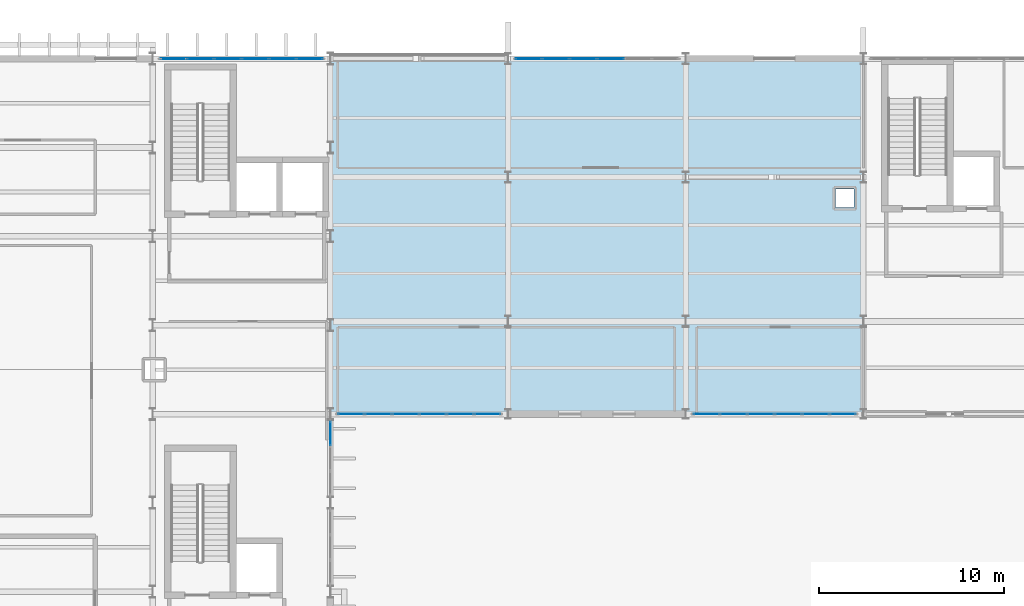
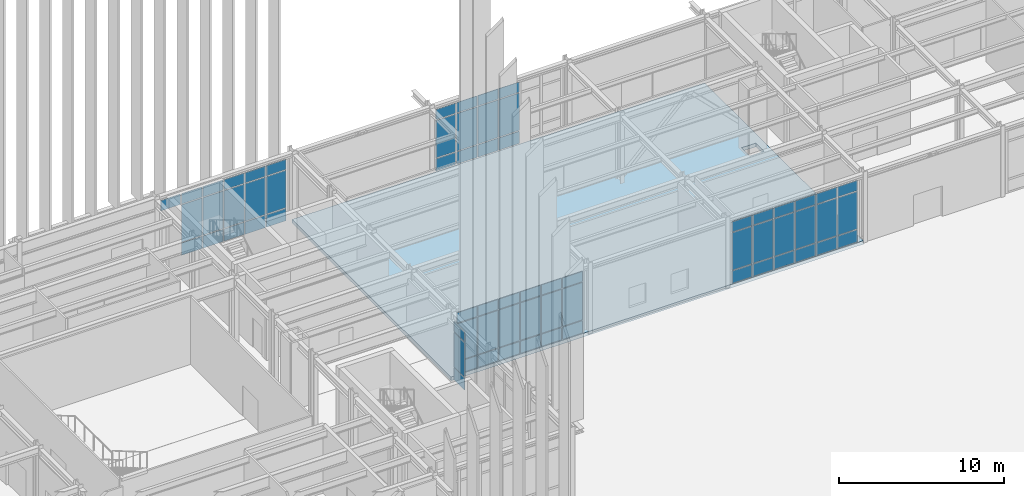
# One storey, part 74 of 109: 67 plates, 1 slab, 5 elements without a shape of their own.
"""IFC4 building model written with IfcOpenShell, lengths in metres."""

from ifc_helpers import new_model, si_unit, direction, frame, origin, origin_2d, place, context, subcontext, project, spatial, polyline, rectangle, outline, extrude, material, layer, layer_set, type_object, element, aggregate, save


model = new_model("IFC4")

# Units and contexts
model_context = context("Model", 3, precision=1e-05, world=origin(), true_north=direction((0.0, 1.0)))
body_context = subcontext(model_context, "Body", "Model", "MODEL_VIEW")
ifc_project = project(units=[si_unit("LENGTHUNIT", "METRE"), si_unit("AREAUNIT", "SQUARE_METRE"), si_unit("VOLUMEUNIT", "CUBIC_METRE"), si_unit("PLANEANGLEUNIT", "RADIAN"), si_unit("MASSUNIT", "GRAM", prefix="KILO")], contexts=[model_context])

# Site, building, storey
site_placement = place(None, origin())
site = spatial("IfcSite", under=ifc_project, at=site_placement, CompositionType="ELEMENT")
building_placement = place(site_placement, origin())
building = spatial("IfcBuilding", under=site, at=building_placement, Name="Nordkorset Police Headquarters", CompositionType="ELEMENT")
storey_placement = place(building_placement, origin())
storey = spatial("IfcBuildingStorey", under=building, at=storey_placement, Name="L00", CompositionType="ELEMENT", Elevation=0.0)

# Curtain wall, plates
ifc_material_1 = material(Name="Aluminium alloy AW-6060", Category="aluminium")
ifc_layer_1 = layer(ifc_material_1, 0.179931640625, Name="Aluminium alloy AW-6060")
ifc_layer_set_1 = layer_set([ifc_layer_1], Name="Aluminium alloy AW-6060")
curtain_wall_type_1 = type_object("IfcCurtainWallType", Name="CW_Unit_888x467", PredefinedType="USERDEFINED", material=ifc_layer_set_1)
curtain_wall_1_placement = place(storey_placement, origin())
curtain_wall_1 = element("IfcCurtainWall", 1, at=curtain_wall_1_placement, inside=storey, type_object=curtain_wall_type_1, Name="Unitised Curtain Wall L00 V1N-2", ObjectType="UNITISED CURTAIN WALL", PredefinedType="USERDEFINED")
ifc_material_2 = material(Name="Low-iron triple glazing", Category="glass")
ifc_layer_2 = layer(ifc_material_2, 0.035888671875, Name="Low-iron triple glazing")
ifc_layer_set_2 = layer_set([ifc_layer_2], Name="Low-iron triple glazing")
plate_type = type_object("IfcPlateType", Name="CW_Panel_TripleGlazing_36", PredefinedType="CURTAIN_PANEL", material=ifc_layer_set_2)
plate_1_placement = place(storey_placement, frame((20.316162109375, 116.800048828125, 3.8525390625), z_axis=(0.0, 0.0, 1.0), x_axis=(1.0, 0.0, 0.0)))
plate_1 = element("IfcPlate", 2, at=plate_1_placement, type_object=plate_type, Name="CW-51 panel 1.3", PredefinedType="CURTAIN_PANEL", context=body_context, shape_type="SweptSolid", body=[
    extrude(rectangle(XDim=1.382568359375, YDim=0.035888671875, at=origin_2d()), origin(), (0.0, 0.0, 1.0), 0.75244140625),
])
plate_2_placement = place(storey_placement, frame((21.780029296875, 116.800048828125, 0.06494140625), z_axis=(0.0, 0.0, 1.0), x_axis=(1.0, 0.0, 0.0)))
plate_2 = element("IfcPlate", 3, at=plate_2_placement, type_object=plate_type, Name="CW-51 panel 2.1", PredefinedType="CURTAIN_PANEL", context=body_context, shape_type="SweptSolid", body=[
    extrude(rectangle(XDim=1.4150390625, YDim=0.035888671875, at=origin_2d()), origin(), (0.0, 0.0, 1.0), 0.902587890625),
])
plate_3_placement = place(storey_placement, frame((21.780029296875, 116.800048828125, 1.032470703125), z_axis=(0.0, 0.0, 1.0), x_axis=(1.0, 0.0, 0.0)))
plate_3 = element("IfcPlate", 4, at=plate_3_placement, type_object=plate_type, Name="CW-51 panel 2.2", PredefinedType="CURTAIN_PANEL", context=body_context, shape_type="SweptSolid", body=[
    extrude(rectangle(XDim=1.4150390625, YDim=0.035888671875, at=origin_2d()), origin(), (0.0, 0.0, 1.0), 2.7548828125),
])
plate_4_placement = place(storey_placement, frame((21.780029296875, 116.800048828125, 3.8525390625), z_axis=(0.0, 0.0, 1.0), x_axis=(1.0, 0.0, 0.0)))
plate_4 = element("IfcPlate", 5, at=plate_4_placement, type_object=plate_type, Name="CW-51 panel 2.3", PredefinedType="CURTAIN_PANEL", context=body_context, shape_type="SweptSolid", body=[
    extrude(rectangle(XDim=1.4150390625, YDim=0.035888671875, at=origin_2d()), origin(), (0.0, 0.0, 1.0), 0.75244140625),
])
plate_5_placement = place(storey_placement, frame((23.260009765625, 116.800048828125, 0.06494140625), z_axis=(0.0, 0.0, 1.0), x_axis=(1.0, 0.0, 0.0)))
plate_5 = element("IfcPlate", 6, at=plate_5_placement, type_object=plate_type, Name="CW-51 panel 3.1", PredefinedType="CURTAIN_PANEL", context=body_context, shape_type="SweptSolid", body=[
    extrude(rectangle(XDim=1.4150390625, YDim=0.035888671875, at=origin_2d()), origin(), (0.0, 0.0, 1.0), 0.902587890625),
])
plate_6_placement = place(storey_placement, frame((23.260009765625, 116.800048828125, 1.032470703125), z_axis=(0.0, 0.0, 1.0), x_axis=(1.0, 0.0, 0.0)))
plate_6 = element("IfcPlate", 7, at=plate_6_placement, type_object=plate_type, Name="CW-51 panel 3.2", PredefinedType="CURTAIN_PANEL", context=body_context, shape_type="SweptSolid", body=[
    extrude(rectangle(XDim=1.4150390625, YDim=0.035888671875, at=origin_2d()), origin(), (0.0, 0.0, 1.0), 2.7548828125),
])
plate_7_placement = place(storey_placement, frame((23.260009765625, 116.800048828125, 3.8525390625), z_axis=(0.0, 0.0, 1.0), x_axis=(1.0, 0.0, 0.0)))
plate_7 = element("IfcPlate", 8, at=plate_7_placement, type_object=plate_type, Name="CW-51 panel 3.3", PredefinedType="CURTAIN_PANEL", context=body_context, shape_type="SweptSolid", body=[
    extrude(rectangle(XDim=1.4150390625, YDim=0.035888671875, at=origin_2d()), origin(), (0.0, 0.0, 1.0), 0.75244140625),
])
plate_8_placement = place(storey_placement, frame((24.739990234375, 116.800048828125, 0.06494140625), z_axis=(0.0, 0.0, 1.0), x_axis=(1.0, 0.0, 0.0)))
plate_8 = element("IfcPlate", 9, at=plate_8_placement, type_object=plate_type, Name="CW-51 panel 4.1", PredefinedType="CURTAIN_PANEL", context=body_context, shape_type="SweptSolid", body=[
    extrude(rectangle(XDim=1.4150390625, YDim=0.035888671875, at=origin_2d()), origin(), (0.0, 0.0, 1.0), 0.902587890625),
])
plate_9_placement = place(storey_placement, frame((24.739990234375, 116.800048828125, 1.032470703125), z_axis=(0.0, 0.0, 1.0), x_axis=(1.0, 0.0, 0.0)))
plate_9 = element("IfcPlate", 10, at=plate_9_placement, type_object=plate_type, Name="CW-51 panel 4.2", PredefinedType="CURTAIN_PANEL", context=body_context, shape_type="SweptSolid", body=[
    extrude(rectangle(XDim=1.4150390625, YDim=0.035888671875, at=origin_2d()), origin(), (0.0, 0.0, 1.0), 2.7548828125),
])
plate_10_placement = place(storey_placement, frame((24.739990234375, 116.800048828125, 3.8525390625), z_axis=(0.0, 0.0, 1.0), x_axis=(1.0, 0.0, 0.0)))
plate_10 = element("IfcPlate", 11, at=plate_10_placement, type_object=plate_type, Name="CW-51 panel 4.3", PredefinedType="CURTAIN_PANEL", context=body_context, shape_type="SweptSolid", body=[
    extrude(rectangle(XDim=1.4150390625, YDim=0.035888671875, at=origin_2d()), origin(), (0.0, 0.0, 1.0), 0.75244140625),
])
plate_11_placement = place(storey_placement, frame((26.219970703125, 116.800048828125, 0.06494140625), z_axis=(0.0, 0.0, 1.0), x_axis=(1.0, 0.0, 0.0)))
plate_11 = element("IfcPlate", 12, at=plate_11_placement, type_object=plate_type, Name="CW-51 panel 5.1", PredefinedType="CURTAIN_PANEL", context=body_context, shape_type="SweptSolid", body=[
    extrude(rectangle(XDim=1.4150390625, YDim=0.035888671875, at=origin_2d()), origin(), (0.0, 0.0, 1.0), 0.902587890625),
])
plate_12_placement = place(storey_placement, frame((26.219970703125, 116.800048828125, 1.032470703125), z_axis=(0.0, 0.0, 1.0), x_axis=(1.0, 0.0, 0.0)))
plate_12 = element("IfcPlate", 13, at=plate_12_placement, type_object=plate_type, Name="CW-51 panel 5.2", PredefinedType="CURTAIN_PANEL", context=body_context, shape_type="SweptSolid", body=[
    extrude(rectangle(XDim=1.4150390625, YDim=0.035888671875, at=origin_2d()), origin(), (0.0, 0.0, 1.0), 2.7548828125),
])
plate_13_placement = place(storey_placement, frame((26.219970703125, 116.800048828125, 3.8525390625), z_axis=(0.0, 0.0, 1.0), x_axis=(1.0, 0.0, 0.0)))
plate_13 = element("IfcPlate", 14, at=plate_13_placement, type_object=plate_type, Name="CW-51 panel 5.3", PredefinedType="CURTAIN_PANEL", context=body_context, shape_type="SweptSolid", body=[
    extrude(rectangle(XDim=1.4150390625, YDim=0.035888671875, at=origin_2d()), origin(), (0.0, 0.0, 1.0), 0.75244140625),
])
plate_14_placement = place(storey_placement, frame((27.683837890625, 116.800048828125, 0.06494140625), z_axis=(0.0, 0.0, 1.0), x_axis=(1.0, 0.0, 0.0)))
plate_14 = element("IfcPlate", 15, at=plate_14_placement, type_object=plate_type, Name="CW-51 panel 6.1", PredefinedType="CURTAIN_PANEL", context=body_context, shape_type="SweptSolid", body=[
    extrude(rectangle(XDim=1.382568359375, YDim=0.035888671875, at=origin_2d()), origin(), (0.0, 0.0, 1.0), 0.902587890625),
])
plate_15_placement = place(storey_placement, frame((27.683837890625, 116.800048828125, 1.032470703125), z_axis=(0.0, 0.0, 1.0), x_axis=(1.0, 0.0, 0.0)))
plate_15 = element("IfcPlate", 16, at=plate_15_placement, type_object=plate_type, Name="CW-51 panel 6.2", PredefinedType="CURTAIN_PANEL", context=body_context, shape_type="SweptSolid", body=[
    extrude(rectangle(XDim=1.382568359375, YDim=0.035888671875, at=origin_2d()), origin(), (0.0, 0.0, 1.0), 2.7548828125),
])
plate_16_placement = place(storey_placement, frame((27.683837890625, 116.800048828125, 3.8525390625), z_axis=(0.0, 0.0, 1.0), x_axis=(1.0, 0.0, 0.0)))
plate_16 = element("IfcPlate", 17, at=plate_16_placement, type_object=plate_type, Name="CW-51 panel 6.3", PredefinedType="CURTAIN_PANEL", context=body_context, shape_type="SweptSolid", body=[
    extrude(rectangle(XDim=1.382568359375, YDim=0.035888671875, at=origin_2d()), origin(), (0.0, 0.0, 1.0), 0.75244140625),
])
aggregate(curtain_wall_1, [plate_1, plate_2, plate_3, plate_4, plate_5, plate_6, plate_7, plate_8, plate_9, plate_10, plate_11, plate_12, plate_13, plate_14, plate_15, plate_16])

ifc_material_3 = material(Name="Aluminium alloy AW-6060", Category="aluminium")
ifc_layer_3 = layer(ifc_material_3, 0.179931640625, Name="Aluminium alloy AW-6060")
ifc_layer_set_3 = layer_set([ifc_layer_3], Name="Aluminium alloy AW-6060")
curtain_wall_type_2 = type_object("IfcCurtainWallType", Name="CW_Unit_408x444", PredefinedType="USERDEFINED", material=ifc_layer_set_3)
curtain_wall_2_placement = place(storey_placement, origin())
curtain_wall_2 = element("IfcCurtainWall", 18, at=curtain_wall_2_placement, inside=storey, type_object=curtain_wall_type_2, Name="Unitised Curtain Wall L00 V1E-2", ObjectType="UNITISED CURTAIN WALL", PredefinedType="USERDEFINED")
plate_17_placement = place(storey_placement, frame((28.800048828125, 96.543701171875, 0.06494140625), z_axis=(0.0, 0.0, 1.0), x_axis=(0.0, 1.0, 0.0)))
plate_17 = element("IfcPlate", 19, at=plate_17_placement, type_object=plate_type, Name="CW-66 panel 3.1", PredefinedType="CURTAIN_PANEL", context=body_context, shape_type="SweptSolid", body=[
    extrude(rectangle(XDim=1.262451171875, YDim=0.035888671875, at=origin_2d()), origin(), (0.0, 0.0, 1.0), 0.902587890625),
])
plate_18_placement = place(storey_placement, frame((28.800048828125, 96.543701171875, 1.032470703125), z_axis=(0.0, 0.0, 1.0), x_axis=(0.0, 1.0, 0.0)))
plate_18 = element("IfcPlate", 20, at=plate_18_placement, type_object=plate_type, Name="CW-66 panel 3.2", PredefinedType="CURTAIN_PANEL", context=body_context, shape_type="SweptSolid", body=[
    extrude(rectangle(XDim=1.262451171875, YDim=0.035888671875, at=origin_2d()), origin(), (0.0, 0.0, 1.0), 2.52490234375),
])
plate_19_placement = place(storey_placement, frame((28.800048828125, 96.543701171875, 3.62255859375), z_axis=(0.0, 0.0, 1.0), x_axis=(0.0, 1.0, 0.0)))
plate_19 = element("IfcPlate", 21, at=plate_19_placement, type_object=plate_type, Name="CW-66 panel 3.3", PredefinedType="CURTAIN_PANEL", context=body_context, shape_type="SweptSolid", body=[
    extrude(rectangle(XDim=1.262451171875, YDim=0.035888671875, at=origin_2d()), origin(), (0.0, 0.0, 1.0), 0.75244140625),
])
aggregate(curtain_wall_2, [plate_17, plate_18, plate_19])

curtain_wall_3_placement = place(storey_placement, origin())
curtain_wall_3 = element("IfcCurtainWall", 22, at=curtain_wall_3_placement, inside=storey, type_object=curtain_wall_type_1, Name="Unitised Curtain Wall L00 V2S-0", ObjectType="UNITISED CURTAIN WALL", PredefinedType="USERDEFINED")
plate_20_placement = place(storey_placement, frame((29.916259765625, 97.60009765625, 0.06494140625), z_axis=(0.0, 0.0, 1.0), x_axis=(1.0, 0.0, 0.0)))
plate_20 = element("IfcPlate", 23, at=plate_20_placement, type_object=plate_type, Name="CW-51 panel 1.1", PredefinedType="CURTAIN_PANEL", context=body_context, shape_type="SweptSolid", body=[
    extrude(rectangle(XDim=1.382568359375, YDim=0.035888671875, at=origin_2d()), origin(), (0.0, 0.0, 1.0), 0.902587890625),
])
plate_21_placement = place(storey_placement, frame((29.916259765625, 97.60009765625, 1.032470703125), z_axis=(0.0, 0.0, 1.0), x_axis=(1.0, 0.0, 0.0)))
plate_21 = element("IfcPlate", 24, at=plate_21_placement, type_object=plate_type, Name="CW-51 panel 1.2", PredefinedType="CURTAIN_PANEL", context=body_context, shape_type="SweptSolid", body=[
    extrude(rectangle(XDim=1.382568359375, YDim=0.035888671875, at=origin_2d()), origin(), (0.0, 0.0, 1.0), 2.7548828125),
])
plate_22_placement = place(storey_placement, frame((29.916259765625, 97.60009765625, 3.8525390625), z_axis=(0.0, 0.0, 1.0), x_axis=(1.0, 0.0, 0.0)))
plate_22 = element("IfcPlate", 25, at=plate_22_placement, type_object=plate_type, Name="CW-51 panel 1.3", PredefinedType="CURTAIN_PANEL", context=body_context, shape_type="SweptSolid", body=[
    extrude(rectangle(XDim=1.382568359375, YDim=0.035888671875, at=origin_2d()), origin(), (0.0, 0.0, 1.0), 0.75244140625),
])
plate_23_placement = place(storey_placement, frame((31.3798828125, 97.60009765625, 0.06494140625), z_axis=(0.0, 0.0, 1.0), x_axis=(1.0, 0.0, 0.0)))
plate_23 = element("IfcPlate", 26, at=plate_23_placement, type_object=plate_type, Name="CW-51 panel 2.1", PredefinedType="CURTAIN_PANEL", context=body_context, shape_type="SweptSolid", body=[
    extrude(rectangle(XDim=1.4150390625, YDim=0.035888671875, at=origin_2d()), origin(), (0.0, 0.0, 1.0), 0.902587890625),
])
plate_24_placement = place(storey_placement, frame((31.3798828125, 97.60009765625, 1.032470703125), z_axis=(0.0, 0.0, 1.0), x_axis=(1.0, 0.0, 0.0)))
plate_24 = element("IfcPlate", 27, at=plate_24_placement, type_object=plate_type, Name="CW-51 panel 2.2", PredefinedType="CURTAIN_PANEL", context=body_context, shape_type="SweptSolid", body=[
    extrude(rectangle(XDim=1.4150390625, YDim=0.035888671875, at=origin_2d()), origin(), (0.0, 0.0, 1.0), 2.7548828125),
])
plate_25_placement = place(storey_placement, frame((31.3798828125, 97.60009765625, 3.8525390625), z_axis=(0.0, 0.0, 1.0), x_axis=(1.0, 0.0, 0.0)))
plate_25 = element("IfcPlate", 28, at=plate_25_placement, type_object=plate_type, Name="CW-51 panel 2.3", PredefinedType="CURTAIN_PANEL", context=body_context, shape_type="SweptSolid", body=[
    extrude(rectangle(XDim=1.4150390625, YDim=0.035888671875, at=origin_2d()), origin(), (0.0, 0.0, 1.0), 0.75244140625),
])
plate_26_placement = place(storey_placement, frame((32.860107421875, 97.60009765625, 0.06494140625), z_axis=(0.0, 0.0, 1.0), x_axis=(1.0, 0.0, 0.0)))
plate_26 = element("IfcPlate", 29, at=plate_26_placement, type_object=plate_type, Name="CW-51 panel 3.1", PredefinedType="CURTAIN_PANEL", context=body_context, shape_type="SweptSolid", body=[
    extrude(rectangle(XDim=1.4150390625, YDim=0.035888671875, at=origin_2d()), origin(), (0.0, 0.0, 1.0), 0.902587890625),
])
plate_27_placement = place(storey_placement, frame((32.860107421875, 97.60009765625, 1.032470703125), z_axis=(0.0, 0.0, 1.0), x_axis=(1.0, 0.0, 0.0)))
plate_27 = element("IfcPlate", 30, at=plate_27_placement, type_object=plate_type, Name="CW-51 panel 3.2", PredefinedType="CURTAIN_PANEL", context=body_context, shape_type="SweptSolid", body=[
    extrude(rectangle(XDim=1.4150390625, YDim=0.035888671875, at=origin_2d()), origin(), (0.0, 0.0, 1.0), 2.7548828125),
])
plate_28_placement = place(storey_placement, frame((32.860107421875, 97.60009765625, 3.8525390625), z_axis=(0.0, 0.0, 1.0), x_axis=(1.0, 0.0, 0.0)))
plate_28 = element("IfcPlate", 31, at=plate_28_placement, type_object=plate_type, Name="CW-51 panel 3.3", PredefinedType="CURTAIN_PANEL", context=body_context, shape_type="SweptSolid", body=[
    extrude(rectangle(XDim=1.4150390625, YDim=0.035888671875, at=origin_2d()), origin(), (0.0, 0.0, 1.0), 0.75244140625),
])
plate_29_placement = place(storey_placement, frame((34.340087890625, 97.60009765625, 0.06494140625), z_axis=(0.0, 0.0, 1.0), x_axis=(1.0, 0.0, 0.0)))
plate_29 = element("IfcPlate", 32, at=plate_29_placement, type_object=plate_type, Name="CW-51 panel 4.1", PredefinedType="CURTAIN_PANEL", context=body_context, shape_type="SweptSolid", body=[
    extrude(rectangle(XDim=1.4150390625, YDim=0.035888671875, at=origin_2d()), origin(), (0.0, 0.0, 1.0), 0.902587890625),
])
plate_30_placement = place(storey_placement, frame((34.340087890625, 97.60009765625, 1.032470703125), z_axis=(0.0, 0.0, 1.0), x_axis=(1.0, 0.0, 0.0)))
plate_30 = element("IfcPlate", 33, at=plate_30_placement, type_object=plate_type, Name="CW-51 panel 4.2", PredefinedType="CURTAIN_PANEL", context=body_context, shape_type="SweptSolid", body=[
    extrude(rectangle(XDim=1.4150390625, YDim=0.035888671875, at=origin_2d()), origin(), (0.0, 0.0, 1.0), 2.7548828125),
])
plate_31_placement = place(storey_placement, frame((34.340087890625, 97.60009765625, 3.8525390625), z_axis=(0.0, 0.0, 1.0), x_axis=(1.0, 0.0, 0.0)))
plate_31 = element("IfcPlate", 34, at=plate_31_placement, type_object=plate_type, Name="CW-51 panel 4.3", PredefinedType="CURTAIN_PANEL", context=body_context, shape_type="SweptSolid", body=[
    extrude(rectangle(XDim=1.4150390625, YDim=0.035888671875, at=origin_2d()), origin(), (0.0, 0.0, 1.0), 0.75244140625),
])
plate_32_placement = place(storey_placement, frame((35.820068359375, 97.60009765625, 0.06494140625), z_axis=(0.0, 0.0, 1.0), x_axis=(1.0, 0.0, 0.0)))
plate_32 = element("IfcPlate", 35, at=plate_32_placement, type_object=plate_type, Name="CW-51 panel 5.1", PredefinedType="CURTAIN_PANEL", context=body_context, shape_type="SweptSolid", body=[
    extrude(rectangle(XDim=1.4150390625, YDim=0.035888671875, at=origin_2d()), origin(), (0.0, 0.0, 1.0), 0.902587890625),
])
plate_33_placement = place(storey_placement, frame((35.820068359375, 97.60009765625, 1.032470703125), z_axis=(0.0, 0.0, 1.0), x_axis=(1.0, 0.0, 0.0)))
plate_33 = element("IfcPlate", 36, at=plate_33_placement, type_object=plate_type, Name="CW-51 panel 5.2", PredefinedType="CURTAIN_PANEL", context=body_context, shape_type="SweptSolid", body=[
    extrude(rectangle(XDim=1.4150390625, YDim=0.035888671875, at=origin_2d()), origin(), (0.0, 0.0, 1.0), 2.7548828125),
])
plate_34_placement = place(storey_placement, frame((35.820068359375, 97.60009765625, 3.8525390625), z_axis=(0.0, 0.0, 1.0), x_axis=(1.0, 0.0, 0.0)))
plate_34 = element("IfcPlate", 37, at=plate_34_placement, type_object=plate_type, Name="CW-51 panel 5.3", PredefinedType="CURTAIN_PANEL", context=body_context, shape_type="SweptSolid", body=[
    extrude(rectangle(XDim=1.4150390625, YDim=0.035888671875, at=origin_2d()), origin(), (0.0, 0.0, 1.0), 0.75244140625),
])
plate_35_placement = place(storey_placement, frame((37.28369140625, 97.60009765625, 0.06494140625), z_axis=(0.0, 0.0, 1.0), x_axis=(1.0, 0.0, 0.0)))
plate_35 = element("IfcPlate", 38, at=plate_35_placement, type_object=plate_type, Name="CW-51 panel 6.1", PredefinedType="CURTAIN_PANEL", context=body_context, shape_type="SweptSolid", body=[
    extrude(rectangle(XDim=1.382568359375, YDim=0.035888671875, at=origin_2d()), origin(), (0.0, 0.0, 1.0), 0.902587890625),
])
plate_36_placement = place(storey_placement, frame((37.28369140625, 97.60009765625, 1.032470703125), z_axis=(0.0, 0.0, 1.0), x_axis=(1.0, 0.0, 0.0)))
plate_36 = element("IfcPlate", 39, at=plate_36_placement, type_object=plate_type, Name="CW-51 panel 6.2", PredefinedType="CURTAIN_PANEL", context=body_context, shape_type="SweptSolid", body=[
    extrude(rectangle(XDim=1.382568359375, YDim=0.035888671875, at=origin_2d()), origin(), (0.0, 0.0, 1.0), 2.7548828125),
])
plate_37_placement = place(storey_placement, frame((37.28369140625, 97.60009765625, 3.8525390625), z_axis=(0.0, 0.0, 1.0), x_axis=(1.0, 0.0, 0.0)))
plate_37 = element("IfcPlate", 40, at=plate_37_placement, type_object=plate_type, Name="CW-51 panel 6.3", PredefinedType="CURTAIN_PANEL", context=body_context, shape_type="SweptSolid", body=[
    extrude(rectangle(XDim=1.382568359375, YDim=0.035888671875, at=origin_2d()), origin(), (0.0, 0.0, 1.0), 0.75244140625),
])
aggregate(curtain_wall_3, [plate_20, plate_21, plate_22, plate_23, plate_24, plate_25, plate_26, plate_27, plate_28, plate_29, plate_30, plate_31, plate_32, plate_33, plate_34, plate_35, plate_36, plate_37])

curtain_wall_4_placement = place(storey_placement, origin())
curtain_wall_4 = element("IfcCurtainWall", 41, at=curtain_wall_4_placement, inside=storey, type_object=curtain_wall_type_1, Name="Unitised Curtain Wall L00 V2N-1", ObjectType="UNITISED CURTAIN WALL", PredefinedType="USERDEFINED")
plate_38_placement = place(storey_placement, frame((39.516357421875, 116.800048828125, 0.06494140625), z_axis=(0.0, 0.0, 1.0), x_axis=(1.0, 0.0, 0.0)))
plate_38 = element("IfcPlate", 42, at=plate_38_placement, type_object=plate_type, Name="CW-51 panel 1.1", PredefinedType="CURTAIN_PANEL", context=body_context, shape_type="SweptSolid", body=[
    extrude(rectangle(XDim=1.382568359375, YDim=0.035888671875, at=origin_2d()), origin(), (0.0, 0.0, 1.0), 0.902587890625),
])
plate_39_placement = place(storey_placement, frame((39.516357421875, 116.800048828125, 1.032470703125), z_axis=(0.0, 0.0, 1.0), x_axis=(1.0, 0.0, 0.0)))
plate_39 = element("IfcPlate", 43, at=plate_39_placement, type_object=plate_type, Name="CW-51 panel 1.2", PredefinedType="CURTAIN_PANEL", context=body_context, shape_type="SweptSolid", body=[
    extrude(rectangle(XDim=1.382568359375, YDim=0.035888671875, at=origin_2d()), origin(), (0.0, 0.0, 1.0), 2.7548828125),
])
plate_40_placement = place(storey_placement, frame((39.516357421875, 116.800048828125, 3.8525390625), z_axis=(0.0, 0.0, 1.0), x_axis=(1.0, 0.0, 0.0)))
plate_40 = element("IfcPlate", 44, at=plate_40_placement, type_object=plate_type, Name="CW-51 panel 1.3", PredefinedType="CURTAIN_PANEL", context=body_context, shape_type="SweptSolid", body=[
    extrude(rectangle(XDim=1.382568359375, YDim=0.035888671875, at=origin_2d()), origin(), (0.0, 0.0, 1.0), 0.75244140625),
])
plate_41_placement = place(storey_placement, frame((40.97998046875, 116.800048828125, 0.06494140625), z_axis=(0.0, 0.0, 1.0), x_axis=(1.0, 0.0, 0.0)))
plate_41 = element("IfcPlate", 45, at=plate_41_placement, type_object=plate_type, Name="CW-51 panel 2.1", PredefinedType="CURTAIN_PANEL", context=body_context, shape_type="SweptSolid", body=[
    extrude(rectangle(XDim=1.4150390625, YDim=0.035888671875, at=origin_2d()), origin(), (0.0, 0.0, 1.0), 0.902587890625),
])
plate_42_placement = place(storey_placement, frame((40.97998046875, 116.800048828125, 1.032470703125), z_axis=(0.0, 0.0, 1.0), x_axis=(1.0, 0.0, 0.0)))
plate_42 = element("IfcPlate", 46, at=plate_42_placement, type_object=plate_type, Name="CW-51 panel 2.2", PredefinedType="CURTAIN_PANEL", context=body_context, shape_type="SweptSolid", body=[
    extrude(rectangle(XDim=1.4150390625, YDim=0.035888671875, at=origin_2d()), origin(), (0.0, 0.0, 1.0), 2.7548828125),
])
plate_43_placement = place(storey_placement, frame((40.97998046875, 116.800048828125, 3.8525390625), z_axis=(0.0, 0.0, 1.0), x_axis=(1.0, 0.0, 0.0)))
plate_43 = element("IfcPlate", 47, at=plate_43_placement, type_object=plate_type, Name="CW-51 panel 2.3", PredefinedType="CURTAIN_PANEL", context=body_context, shape_type="SweptSolid", body=[
    extrude(rectangle(XDim=1.4150390625, YDim=0.035888671875, at=origin_2d()), origin(), (0.0, 0.0, 1.0), 0.75244140625),
])
plate_44_placement = place(storey_placement, frame((42.4599609375, 116.800048828125, 0.06494140625), z_axis=(0.0, 0.0, 1.0), x_axis=(1.0, 0.0, 0.0)))
plate_44 = element("IfcPlate", 48, at=plate_44_placement, type_object=plate_type, Name="CW-51 panel 3.1", PredefinedType="CURTAIN_PANEL", context=body_context, shape_type="SweptSolid", body=[
    extrude(rectangle(XDim=1.4150390625, YDim=0.035888671875, at=origin_2d()), origin(), (0.0, 0.0, 1.0), 0.902587890625),
])
plate_45_placement = place(storey_placement, frame((42.4599609375, 116.800048828125, 1.032470703125), z_axis=(0.0, 0.0, 1.0), x_axis=(1.0, 0.0, 0.0)))
plate_45 = element("IfcPlate", 49, at=plate_45_placement, type_object=plate_type, Name="CW-51 panel 3.2", PredefinedType="CURTAIN_PANEL", context=body_context, shape_type="SweptSolid", body=[
    extrude(rectangle(XDim=1.4150390625, YDim=0.035888671875, at=origin_2d()), origin(), (0.0, 0.0, 1.0), 2.7548828125),
])
plate_46_placement = place(storey_placement, frame((42.4599609375, 116.800048828125, 3.8525390625), z_axis=(0.0, 0.0, 1.0), x_axis=(1.0, 0.0, 0.0)))
plate_46 = element("IfcPlate", 50, at=plate_46_placement, type_object=plate_type, Name="CW-51 panel 3.3", PredefinedType="CURTAIN_PANEL", context=body_context, shape_type="SweptSolid", body=[
    extrude(rectangle(XDim=1.4150390625, YDim=0.035888671875, at=origin_2d()), origin(), (0.0, 0.0, 1.0), 0.75244140625),
])
plate_47_placement = place(storey_placement, frame((43.93994140625, 116.800048828125, 0.06494140625), z_axis=(0.0, 0.0, 1.0), x_axis=(1.0, 0.0, 0.0)))
plate_47 = element("IfcPlate", 51, at=plate_47_placement, type_object=plate_type, Name="CW-51 panel 4.1", PredefinedType="CURTAIN_PANEL", context=body_context, shape_type="SweptSolid", body=[
    extrude(rectangle(XDim=1.4150390625, YDim=0.035888671875, at=origin_2d()), origin(), (0.0, 0.0, 1.0), 0.902587890625),
])
plate_48_placement = place(storey_placement, frame((43.93994140625, 116.800048828125, 1.032470703125), z_axis=(0.0, 0.0, 1.0), x_axis=(1.0, 0.0, 0.0)))
plate_48 = element("IfcPlate", 52, at=plate_48_placement, type_object=plate_type, Name="CW-51 panel 4.2", PredefinedType="CURTAIN_PANEL", context=body_context, shape_type="SweptSolid", body=[
    extrude(rectangle(XDim=1.4150390625, YDim=0.035888671875, at=origin_2d()), origin(), (0.0, 0.0, 1.0), 2.7548828125),
])
plate_49_placement = place(storey_placement, frame((43.93994140625, 116.800048828125, 3.8525390625), z_axis=(0.0, 0.0, 1.0), x_axis=(1.0, 0.0, 0.0)))
plate_49 = element("IfcPlate", 53, at=plate_49_placement, type_object=plate_type, Name="CW-51 panel 4.3", PredefinedType="CURTAIN_PANEL", context=body_context, shape_type="SweptSolid", body=[
    extrude(rectangle(XDim=1.4150390625, YDim=0.035888671875, at=origin_2d()), origin(), (0.0, 0.0, 1.0), 0.75244140625),
])
aggregate(curtain_wall_4, [plate_38, plate_39, plate_40, plate_41, plate_42, plate_43, plate_44, plate_45, plate_46, plate_47, plate_48, plate_49])

curtain_wall_5_placement = place(storey_placement, origin())
curtain_wall_5 = element("IfcCurtainWall", 54, at=curtain_wall_5_placement, inside=storey, type_object=curtain_wall_type_1, Name="Unitised Curtain Wall L00 V2S-2", ObjectType="UNITISED CURTAIN WALL", PredefinedType="USERDEFINED")
plate_50_placement = place(storey_placement, frame((49.1162109375, 97.60009765625, 0.06494140625), z_axis=(0.0, 0.0, 1.0), x_axis=(1.0, 0.0, 0.0)))
plate_50 = element("IfcPlate", 55, at=plate_50_placement, type_object=plate_type, Name="CW-51 panel 1.1", PredefinedType="CURTAIN_PANEL", context=body_context, shape_type="SweptSolid", body=[
    extrude(rectangle(XDim=1.382568359375, YDim=0.035888671875, at=origin_2d()), origin(), (0.0, 0.0, 1.0), 0.902587890625),
])
plate_51_placement = place(storey_placement, frame((49.1162109375, 97.60009765625, 1.032470703125), z_axis=(0.0, 0.0, 1.0), x_axis=(1.0, 0.0, 0.0)))
plate_51 = element("IfcPlate", 56, at=plate_51_placement, type_object=plate_type, Name="CW-51 panel 1.2", PredefinedType="CURTAIN_PANEL", context=body_context, shape_type="SweptSolid", body=[
    extrude(rectangle(XDim=1.382568359375, YDim=0.035888671875, at=origin_2d()), origin(), (0.0, 0.0, 1.0), 2.7548828125),
])
plate_52_placement = place(storey_placement, frame((49.1162109375, 97.60009765625, 3.8525390625), z_axis=(0.0, 0.0, 1.0), x_axis=(1.0, 0.0, 0.0)))
plate_52 = element("IfcPlate", 57, at=plate_52_placement, type_object=plate_type, Name="CW-51 panel 1.3", PredefinedType="CURTAIN_PANEL", context=body_context, shape_type="SweptSolid", body=[
    extrude(rectangle(XDim=1.382568359375, YDim=0.035888671875, at=origin_2d()), origin(), (0.0, 0.0, 1.0), 0.75244140625),
])
plate_53_placement = place(storey_placement, frame((50.580078125, 97.60009765625, 0.06494140625), z_axis=(0.0, 0.0, 1.0), x_axis=(1.0, 0.0, 0.0)))
plate_53 = element("IfcPlate", 58, at=plate_53_placement, type_object=plate_type, Name="CW-51 panel 2.1", PredefinedType="CURTAIN_PANEL", context=body_context, shape_type="SweptSolid", body=[
    extrude(rectangle(XDim=1.4150390625, YDim=0.035888671875, at=origin_2d()), origin(), (0.0, 0.0, 1.0), 0.902587890625),
])
plate_54_placement = place(storey_placement, frame((50.580078125, 97.60009765625, 1.032470703125), z_axis=(0.0, 0.0, 1.0), x_axis=(1.0, 0.0, 0.0)))
plate_54 = element("IfcPlate", 59, at=plate_54_placement, type_object=plate_type, Name="CW-51 panel 2.2", PredefinedType="CURTAIN_PANEL", context=body_context, shape_type="SweptSolid", body=[
    extrude(rectangle(XDim=1.4150390625, YDim=0.035888671875, at=origin_2d()), origin(), (0.0, 0.0, 1.0), 2.7548828125),
])
plate_55_placement = place(storey_placement, frame((50.580078125, 97.60009765625, 3.8525390625), z_axis=(0.0, 0.0, 1.0), x_axis=(1.0, 0.0, 0.0)))
plate_55 = element("IfcPlate", 60, at=plate_55_placement, type_object=plate_type, Name="CW-51 panel 2.3", PredefinedType="CURTAIN_PANEL", context=body_context, shape_type="SweptSolid", body=[
    extrude(rectangle(XDim=1.4150390625, YDim=0.035888671875, at=origin_2d()), origin(), (0.0, 0.0, 1.0), 0.75244140625),
])
plate_56_placement = place(storey_placement, frame((52.06005859375, 97.60009765625, 0.06494140625), z_axis=(0.0, 0.0, 1.0), x_axis=(1.0, 0.0, 0.0)))
plate_56 = element("IfcPlate", 61, at=plate_56_placement, type_object=plate_type, Name="CW-51 panel 3.1", PredefinedType="CURTAIN_PANEL", context=body_context, shape_type="SweptSolid", body=[
    extrude(rectangle(XDim=1.4150390625, YDim=0.035888671875, at=origin_2d()), origin(), (0.0, 0.0, 1.0), 0.902587890625),
])
plate_57_placement = place(storey_placement, frame((52.06005859375, 97.60009765625, 1.032470703125), z_axis=(0.0, 0.0, 1.0), x_axis=(1.0, 0.0, 0.0)))
plate_57 = element("IfcPlate", 62, at=plate_57_placement, type_object=plate_type, Name="CW-51 panel 3.2", PredefinedType="CURTAIN_PANEL", context=body_context, shape_type="SweptSolid", body=[
    extrude(rectangle(XDim=1.4150390625, YDim=0.035888671875, at=origin_2d()), origin(), (0.0, 0.0, 1.0), 2.7548828125),
])
plate_58_placement = place(storey_placement, frame((52.06005859375, 97.60009765625, 3.8525390625), z_axis=(0.0, 0.0, 1.0), x_axis=(1.0, 0.0, 0.0)))
plate_58 = element("IfcPlate", 63, at=plate_58_placement, type_object=plate_type, Name="CW-51 panel 3.3", PredefinedType="CURTAIN_PANEL", context=body_context, shape_type="SweptSolid", body=[
    extrude(rectangle(XDim=1.4150390625, YDim=0.035888671875, at=origin_2d()), origin(), (0.0, 0.0, 1.0), 0.75244140625),
])
plate_59_placement = place(storey_placement, frame((53.5400390625, 97.60009765625, 0.06494140625), z_axis=(0.0, 0.0, 1.0), x_axis=(1.0, 0.0, 0.0)))
plate_59 = element("IfcPlate", 64, at=plate_59_placement, type_object=plate_type, Name="CW-51 panel 4.1", PredefinedType="CURTAIN_PANEL", context=body_context, shape_type="SweptSolid", body=[
    extrude(rectangle(XDim=1.4150390625, YDim=0.035888671875, at=origin_2d()), origin(), (0.0, 0.0, 1.0), 0.902587890625),
])
plate_60_placement = place(storey_placement, frame((53.5400390625, 97.60009765625, 1.032470703125), z_axis=(0.0, 0.0, 1.0), x_axis=(1.0, 0.0, 0.0)))
plate_60 = element("IfcPlate", 65, at=plate_60_placement, type_object=plate_type, Name="CW-51 panel 4.2", PredefinedType="CURTAIN_PANEL", context=body_context, shape_type="SweptSolid", body=[
    extrude(rectangle(XDim=1.4150390625, YDim=0.035888671875, at=origin_2d()), origin(), (0.0, 0.0, 1.0), 2.7548828125),
])
plate_61_placement = place(storey_placement, frame((53.5400390625, 97.60009765625, 3.8525390625), z_axis=(0.0, 0.0, 1.0), x_axis=(1.0, 0.0, 0.0)))
plate_61 = element("IfcPlate", 66, at=plate_61_placement, type_object=plate_type, Name="CW-51 panel 4.3", PredefinedType="CURTAIN_PANEL", context=body_context, shape_type="SweptSolid", body=[
    extrude(rectangle(XDim=1.4150390625, YDim=0.035888671875, at=origin_2d()), origin(), (0.0, 0.0, 1.0), 0.75244140625),
])
plate_62_placement = place(storey_placement, frame((55.02001953125, 97.60009765625, 0.06494140625), z_axis=(0.0, 0.0, 1.0), x_axis=(1.0, 0.0, 0.0)))
plate_62 = element("IfcPlate", 67, at=plate_62_placement, type_object=plate_type, Name="CW-51 panel 5.1", PredefinedType="CURTAIN_PANEL", context=body_context, shape_type="SweptSolid", body=[
    extrude(rectangle(XDim=1.4150390625, YDim=0.035888671875, at=origin_2d()), origin(), (0.0, 0.0, 1.0), 0.902587890625),
])
plate_63_placement = place(storey_placement, frame((55.02001953125, 97.60009765625, 1.032470703125), z_axis=(0.0, 0.0, 1.0), x_axis=(1.0, 0.0, 0.0)))
plate_63 = element("IfcPlate", 68, at=plate_63_placement, type_object=plate_type, Name="CW-51 panel 5.2", PredefinedType="CURTAIN_PANEL", context=body_context, shape_type="SweptSolid", body=[
    extrude(rectangle(XDim=1.4150390625, YDim=0.035888671875, at=origin_2d()), origin(), (0.0, 0.0, 1.0), 2.7548828125),
])
plate_64_placement = place(storey_placement, frame((55.02001953125, 97.60009765625, 3.8525390625), z_axis=(0.0, 0.0, 1.0), x_axis=(1.0, 0.0, 0.0)))
plate_64 = element("IfcPlate", 69, at=plate_64_placement, type_object=plate_type, Name="CW-51 panel 5.3", PredefinedType="CURTAIN_PANEL", context=body_context, shape_type="SweptSolid", body=[
    extrude(rectangle(XDim=1.4150390625, YDim=0.035888671875, at=origin_2d()), origin(), (0.0, 0.0, 1.0), 0.75244140625),
])
plate_65_placement = place(storey_placement, frame((56.483642578125, 97.60009765625, 0.06494140625), z_axis=(0.0, 0.0, 1.0), x_axis=(1.0, 0.0, 0.0)))
plate_65 = element("IfcPlate", 70, at=plate_65_placement, type_object=plate_type, Name="CW-51 panel 6.1", PredefinedType="CURTAIN_PANEL", context=body_context, shape_type="SweptSolid", body=[
    extrude(rectangle(XDim=1.382568359375, YDim=0.035888671875, at=origin_2d()), origin(), (0.0, 0.0, 1.0), 0.902587890625),
])
plate_66_placement = place(storey_placement, frame((56.483642578125, 97.60009765625, 1.032470703125), z_axis=(0.0, 0.0, 1.0), x_axis=(1.0, 0.0, 0.0)))
plate_66 = element("IfcPlate", 71, at=plate_66_placement, type_object=plate_type, Name="CW-51 panel 6.2", PredefinedType="CURTAIN_PANEL", context=body_context, shape_type="SweptSolid", body=[
    extrude(rectangle(XDim=1.382568359375, YDim=0.035888671875, at=origin_2d()), origin(), (0.0, 0.0, 1.0), 2.7548828125),
])
plate_67_placement = place(storey_placement, frame((56.483642578125, 97.60009765625, 3.8525390625), z_axis=(0.0, 0.0, 1.0), x_axis=(1.0, 0.0, 0.0)))
plate_67 = element("IfcPlate", 72, at=plate_67_placement, type_object=plate_type, Name="CW-51 panel 6.3", PredefinedType="CURTAIN_PANEL", context=body_context, shape_type="SweptSolid", body=[
    extrude(rectangle(XDim=1.382568359375, YDim=0.035888671875, at=origin_2d()), origin(), (0.0, 0.0, 1.0), 0.75244140625),
])
aggregate(curtain_wall_5, [plate_50, plate_51, plate_52, plate_53, plate_54, plate_55, plate_56, plate_57, plate_58, plate_59, plate_60, plate_61, plate_62, plate_63, plate_64, plate_65, plate_66, plate_67])

# Slab
ifc_material_4 = material(Name="Concrete C35/45", Category="concrete")
ifc_layer_4 = layer(ifc_material_4, 0.27001953125, Name="Concrete C35/45")
ifc_layer_set_4 = layer_set([ifc_layer_4], Name="Concrete C35/45")
slab_type = type_object("IfcSlabType", Name="Slab_Ground_270", PredefinedType="FLOOR", material=ifc_layer_set_4)
slab_placement = place(storey_placement, frame((0.0, 0.0, -0.27001953125)))
element("IfcSlab", 73, at=slab_placement, inside=storey, type_object=slab_type, Name="Composite Floor Slab V2 West L00", PredefinedType="FLOOR", context=body_context, shape_type="SweptSolid", body=[
    extrude(outline(polyline([(28.802001953125, 116.800048828125), (57.60009765625, 116.800048828125), (57.60009765625, 97.60009765625), (28.802001953125, 97.60009765625), (28.802001953125, 116.800048828125)]), holes=[polyline([(57.10009765625, 109.75), (56.10009765625, 109.75), (56.10009765625, 108.75), (57.10009765625, 108.75), (57.10009765625, 109.75)])]), origin(), (0.0, 0.0, 1.0), 0.27001953125),
])

save(model, "model.ifc")
